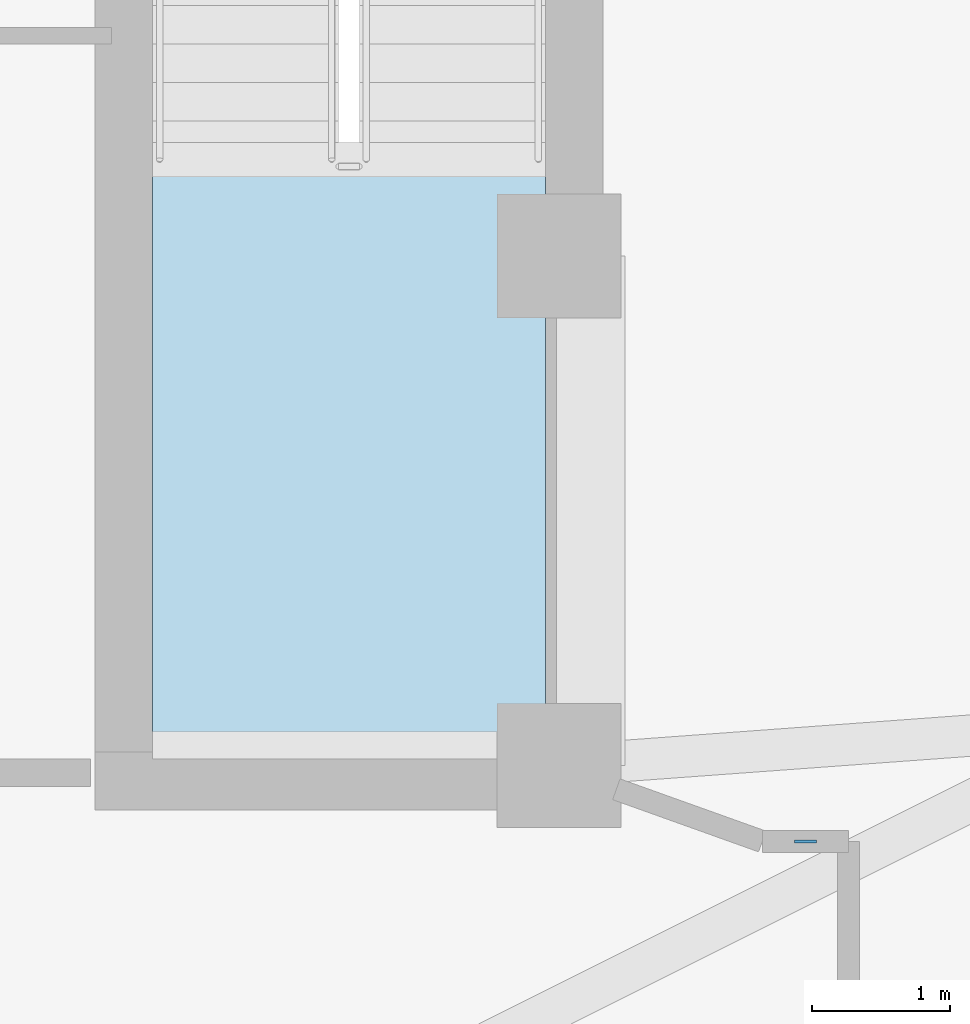
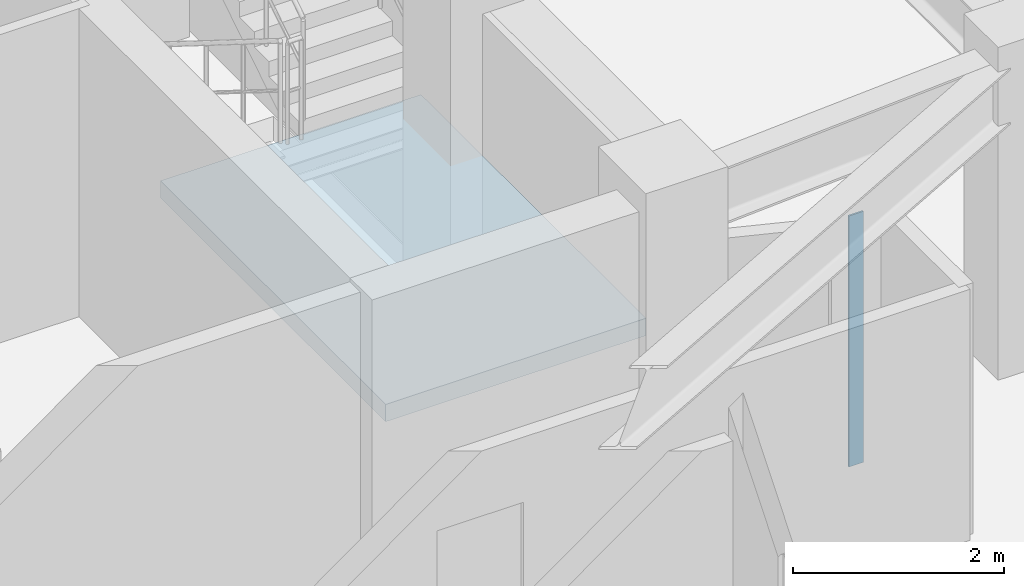
# One storey, part 3 of 13: 1 plate, 1 slab, 1 element without a shape of its own.
"""IFC4 building model written with IfcOpenShell, lengths in metres."""

from ifc_helpers import new_model, si_unit, direction, frame, origin, origin_2d, place, context, subcontext, project, spatial, polyline, rectangle, outline, extrude, material, layer, layer_set, type_object, element, aggregate, save


model = new_model("IFC4")

# Units and contexts
model_context = context("Model", 3, precision=1e-05, world=origin(), true_north=direction((0.0, 1.0)))
body_context = subcontext(model_context, "Body", "Model", "MODEL_VIEW")
ifc_project = project(units=[si_unit("LENGTHUNIT", "METRE"), si_unit("AREAUNIT", "SQUARE_METRE"), si_unit("VOLUMEUNIT", "CUBIC_METRE"), si_unit("PLANEANGLEUNIT", "RADIAN"), si_unit("MASSUNIT", "GRAM", prefix="KILO")], contexts=[model_context])

# Site, building, storey
site_placement = place(None, origin())
site = spatial("IfcSite", under=ifc_project, at=site_placement, CompositionType="ELEMENT")
building_placement = place(site_placement, origin())
building = spatial("IfcBuilding", under=site, at=building_placement, Name="Miruveldt Soraemaru", CompositionType="ELEMENT")
storey_placement = place(building_placement, frame((0.0, 0.0, 259.699951171875)))
storey = spatial("IfcBuildingStorey", under=building, at=storey_placement, Name="L71", CompositionType="ELEMENT", Elevation=259.699951171875)

# Plate
ifc_material_1 = material(Name="Anodised aluminium EN AW-6063 T6", Category="aluminium")
ifc_layer_1 = layer(ifc_material_1, 0.02001953125, Name="Anodised aluminium EN AW-6063 T6", Category="aluminium")
ifc_layer_set_1 = layer_set([ifc_layer_1], Name="Anodised aluminium EN AW-6063 T6")
plate_type = type_object("IfcPlateType", Name="PLT-PART-TRIM", PredefinedType="SHEET", material=ifc_layer_set_1)
plate_placement = place(storey_placement, frame((54.28759765625, 34.949951171875, 0.0), z_axis=(0.0, 0.0, 1.0), x_axis=(-1.0, 0.0, 0.0)))
element("IfcPlate", 1, at=plate_placement, inside=storey, type_object=plate_type, Name="L71 Partition Step Corner Trim Plate 012", PredefinedType="SHEET", context=body_context, shape_type="SweptSolid", body=[
    extrude(rectangle(XDim=0.159912109375, YDim=0.02001953125, at=origin_2d()), origin(), (0.0, 0.0, 1.0), 2.903076171875),
])

# Stair, slab
ifc_material_2 = material(Name="Concrete C40/50 (40 MPa)", Category="concrete")
stair_type = type_object("IfcStairType", Name="STAIR-DL-385", PredefinedType="HALF_TURN_STAIR", material=ifc_material_2)
stair_placement = place(storey_placement, origin())
stair = element("IfcStair", 2, at=stair_placement, inside=storey, type_object=stair_type, Name="L71 Protected Exit Stair ST-2", PredefinedType="HALF_TURN_STAIR")
ifc_layer_2 = layer(ifc_material_2, 0.199951171875, Name="Concrete C40/50 (40 MPa)", Category="concrete")
ifc_layer_set_2 = layer_set([ifc_layer_2], Name="Concrete C40/50 (40 MPa)")
slab_type = type_object("IfcSlabType", Name="SLAB-LAND-200", PredefinedType="LANDING", material=ifc_layer_set_2)
slab_placement = place(storey_placement, frame((0.0, 0.0, 1.72509765625)))
slab = element("IfcSlab", 3, at=slab_placement, type_object=slab_type, Name="ST-2 landing 1", PredefinedType="LANDING", context=body_context, shape_type="SweptSolid", body=[
    extrude(outline(polyline([(49.550048828125, 39.91796875), (49.550048828125, 35.64990234375), (52.39990234375, 35.64990234375), (52.39990234375, 39.91796875), (49.550048828125, 39.91796875)])), origin(), (0.0, 0.0, 1.0), 0.199951171875),
])
aggregate(stair, [slab])

save(model, "model.ifc")
